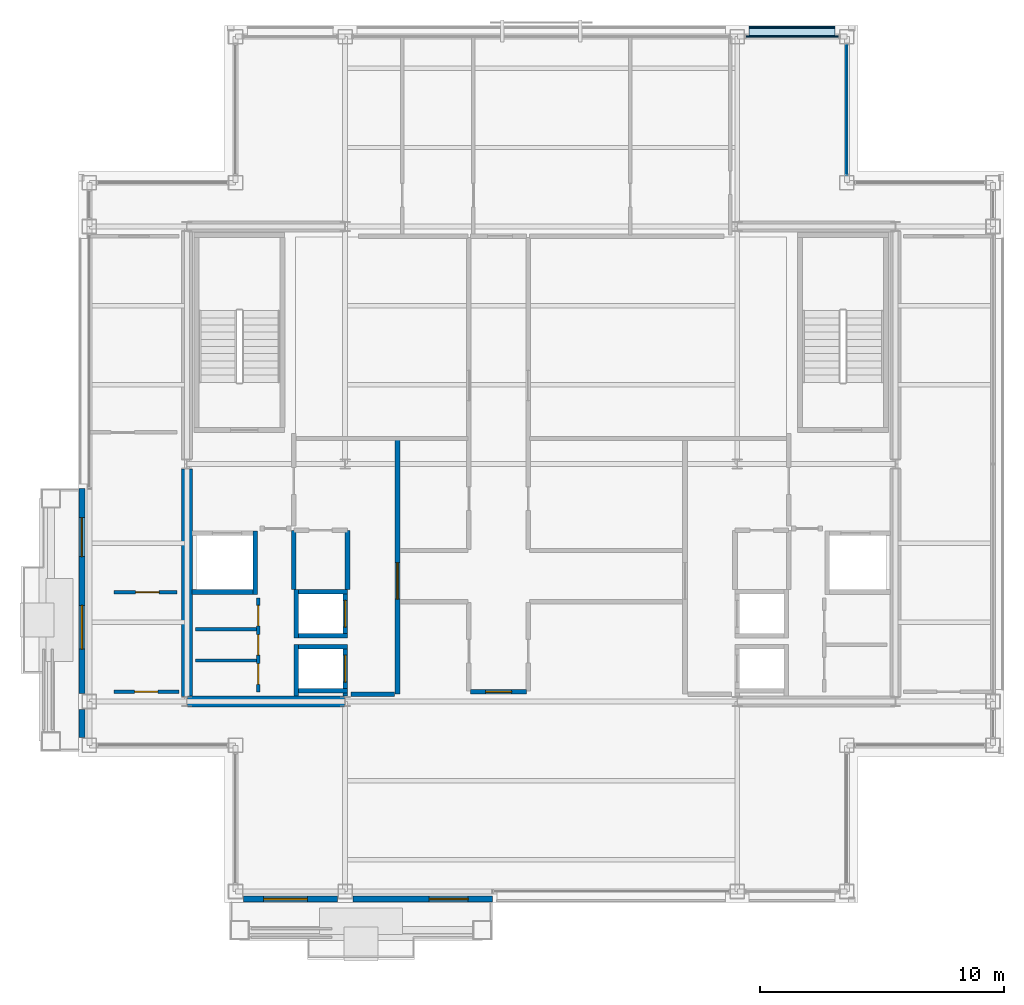
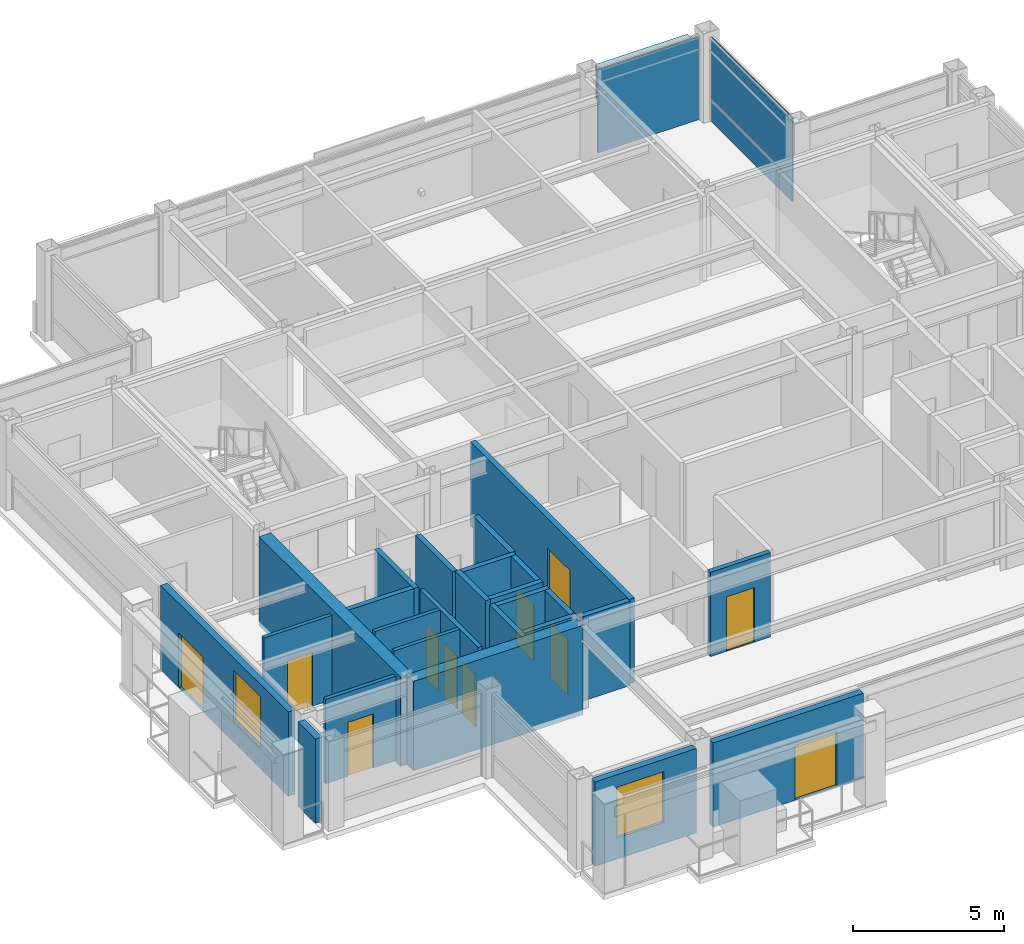
# One storey, part 23 of 28: 26 walls, 11 doors, 5 plates, 2 windows, 13 openings, 2 elements without a shape of their own.
"""IFC4 building model written with IfcOpenShell, lengths in metres."""

from ifc_helpers import new_model, si_unit, direction, frame, frame_2d, origin, origin_2d, place, context, subcontext, project, spatial, rectangle, extrude, material, layer, layer_set, type_object, element, fill, aggregate, save


model = new_model("IFC4")

# Units and contexts
model_context = context("Model", 3, precision=1e-05, world=origin(), true_north=direction((0.0, 1.0)))
body_context = subcontext(model_context, "Body", "Model", "MODEL_VIEW")
ifc_project = project(units=[si_unit("LENGTHUNIT", "METRE"), si_unit("AREAUNIT", "SQUARE_METRE"), si_unit("VOLUMEUNIT", "CUBIC_METRE"), si_unit("PLANEANGLEUNIT", "RADIAN"), si_unit("MASSUNIT", "GRAM", prefix="KILO")], contexts=[model_context])

# Site, building, storey
site_placement = place(None, origin())
site = spatial("IfcSite", under=ifc_project, at=site_placement, CompositionType="ELEMENT")
building_placement = place(site_placement, origin())
building = spatial("IfcBuilding", under=site, at=building_placement, Name="Brelmoor Portico Tower", CompositionType="ELEMENT")
storey_placement = place(building_placement, frame((0.0, 0.0, 265.199951171875)))
storey = spatial("IfcBuildingStorey", under=building, at=storey_placement, Name="L70", CompositionType="ELEMENT", Elevation=265.199951171875)

# Curtain wall, plate
ifc_material_1 = material(Name="Anodised Aluminium Alloy 6063-T6", Category="aluminium")
ifc_layer_1 = layer(ifc_material_1, 0.179931640625)
ifc_layer_set_1 = layer_set([ifc_layer_1], Name="Anodised Aluminium Alloy 6063-T6")
curtain_wall_type_1 = type_object("IfcCurtainWallType", Name="CW-NOTCH-CHAMFER", PredefinedType="NOTDEFINED", material=ifc_layer_set_1)
curtain_wall_1_placement = place(storey_placement, origin())
curtain_wall_1 = element("IfcCurtainWall", 1, at=curtain_wall_1_placement, inside=storey, type_object=curtain_wall_type_1, Name="L70 Curtain Wall CWN-L70-NEV", PredefinedType="NOTDEFINED")
ifc_material_2 = material(Name="Double-Silver Low-E Insulated Glazing", Category="glass")
ifc_layer_2 = layer(ifc_material_2, 0.035888671875)
ifc_layer_set_2 = layer_set([ifc_layer_2], Name="Double-Silver Low-E Insulated Glazing")
plate_type_1 = type_object("IfcPlateType", Name="PT-CW-GLASS", PredefinedType="CURTAIN_PANEL", material=ifc_layer_set_2)
plate_1_placement = place(storey_placement, frame((12.550048828125, 14.550048828125, 0.85009765625), z_axis=(0.0, 0.0, 1.0), x_axis=(0.0, 1.0, 0.0)))
plate_1 = element("IfcPlate", 2, at=plate_1_placement, type_object=plate_type_1, Name="CWN-L70-NEV Vision Glass Panel 00", PredefinedType="CURTAIN_PANEL", context=body_context, shape_type="SweptSolid", body=[
    extrude(rectangle(XDim=5.35009765625, YDim=0.035888671875, at=origin_2d()), origin(), (0.0, 0.0, 1.0), 2.550048828125),
])

ifc_layer_3 = layer(ifc_material_1, 0.179931640625)
ifc_layer_set_3 = layer_set([ifc_layer_3], Name="Anodised Aluminium Alloy 6063-T6")
curtain_wall_type_2 = type_object("IfcCurtainWallType", Name="CW-TOWER-Z4-XB", PredefinedType="NOTDEFINED", material=ifc_layer_set_3)
curtain_wall_2_placement = place(storey_placement, origin())
curtain_wall_2 = element("IfcCurtainWall", 3, at=curtain_wall_2_placement, inside=storey, type_object=curtain_wall_type_2, Name="L70 Curtain Wall CW-L70-02-3", PredefinedType="NOTDEFINED")
ifc_material_3 = material(Name="Pale Champagne Anodised Aluminium Panel", Category="aluminium")
ifc_layer_4 = layer(ifc_material_3, 0.050048828125)
ifc_layer_set_4 = layer_set([ifc_layer_4], Name="Pale Champagne Anodised Aluminium Panel")
plate_type_2 = type_object("IfcPlateType", Name="PT-CW-SPANDREL", PredefinedType="SHEET", material=ifc_layer_set_4)
plate_2_placement = place(storey_placement, frame((10.300048828125, 17.550048828125, 0.0), z_axis=(0.0, 0.0, 1.0), x_axis=(1.0, 0.0, 0.0)))
plate_2 = element("IfcPlate", 4, at=plate_2_placement, type_object=plate_type_2, Name="CW-L70-02-3 Spandrel Panel 00", PredefinedType="SHEET", context=body_context, shape_type="SweptSolid", body=[
    extrude(rectangle(XDim=3.85009765625, YDim=0.050048828125, at=origin_2d()), origin(), (0.0, 0.0, 1.0), 3.33740234375),
])
aggregate(curtain_wall_2, [plate_2])

# Plate
plate_3_placement = place(storey_placement, frame((12.550048828125, 14.550048828125, 0.0), z_axis=(0.0, 0.0, 1.0), x_axis=(0.0, 1.0, 0.0)))
plate_3 = element("IfcPlate", 5, at=plate_3_placement, type_object=plate_type_2, Name="CWN-L70-NEV Spandrel Panel 00", PredefinedType="SHEET", context=body_context, shape_type="SweptSolid", body=[
    extrude(rectangle(XDim=5.35009765625, YDim=0.050048828125, at=origin_2d()), origin(), (0.0, 0.0, 1.0), 0.85009765625),
])

aggregate(curtain_wall_1, [plate_3, plate_1])

# Plates
ifc_material_4 = material(Name="Powder-Coated Aluminium Shuttered Jalousie Louvre", Category="aluminium")
ifc_layer_5 = layer(ifc_material_4, 0.06005859375)
ifc_layer_set_5 = layer_set([ifc_layer_5], Name="Powder-Coated Aluminium Shuttered Jalousie Louvre")
plate_type_3 = type_object("IfcPlateType", Name="PT-JALOUSIE-SHUTTER", PredefinedType="SHEET", material=ifc_layer_set_5)
plate_4_placement = place(storey_placement, frame((10.300048828125, 17.929931640625, 1.8740234375), z_axis=(0.0, 0.0, 1.0), x_axis=(1.0, 0.0, 0.0)))
element("IfcPlate", 6, at=plate_4_placement, inside=storey, type_object=plate_type_3, Name="CW-L70-02-3 Perforated Jalousie Solar Screen", PredefinedType="SHEET", context=body_context, shape_type="SweptSolid", body=[
    extrude(rectangle(XDim=3.52001953125, YDim=0.06494140625, at=origin_2d()), origin(), (0.0, 0.0, 1.0), 1.325927734375),
])
ifc_material_5 = material(Name="Pale Champagne Perforated Aluminium Solar Screen", Category="aluminium")
ifc_layer_6 = layer(ifc_material_5, 0.054931640625)
ifc_layer_set_6 = layer_set([ifc_layer_6], Name="Pale Champagne Perforated Aluminium Solar Screen")
plate_type_4 = type_object("IfcPlateType", Name="PT-SOLAR-LOUVRE", PredefinedType="SHEET", material=ifc_layer_set_6)
plate_5_placement = place(storey_placement, frame((10.300048828125, 17.760009765625, 3.09033203125), z_axis=(0.0, 0.0, 1.0), x_axis=(1.0, 0.0, 0.0)))
element("IfcPlate", 7, at=plate_5_placement, inside=storey, type_object=plate_type_4, Name="CW-L70-02-3 Caribbean Brise-Soleil Solar Screen", PredefinedType="SHEET", context=body_context, shape_type="SweptSolid", body=[
    extrude(rectangle(XDim=3.52001953125, YDim=0.4599609375, at=origin_2d()), origin(), (0.0, 0.0, 1.0), 0.139892578125),
])

# Walls
ifc_material_6 = material(Name="Concrete C50", Category="concrete")
ifc_layer_7 = layer(ifc_material_6, 0.449951171875)
ifc_layer_set_7 = layer_set([ifc_layer_7], Name="Concrete C50")
wall_type_1 = type_object("IfcWallType", Name="WL-CORE-450", PredefinedType="SHEAR", material=ifc_layer_set_7)
wall_1_placement = place(storey_placement, frame((-14.530029296875, -9.75, -0.199951171875), z_axis=(0.0, 0.0, 1.0), x_axis=(1.0, 0.0, 0.0)))
element("IfcWall", 8, at=wall_1_placement, inside=storey, type_object=wall_type_1, Name="L70 WC South Shear Wall", PredefinedType="SHEAR", context=body_context, shape_type="SweptSolid", body=[
    extrude(rectangle(XDim=6.4599609375, YDim=0.449951171875, at=frame_2d((3.22998046875, 0.0))), origin(), (0.0, 0.0, 1.0), 3.60009765625),
])
wall_2_placement = place(storey_placement, frame((-14.550048828125, -9.550048828125, -0.199951171875), z_axis=(0.0, 0.0, 1.0), x_axis=(0.0, 1.0, 0.0)))
element("IfcWall", 9, at=wall_2_placement, inside=storey, type_object=wall_type_1, Name="L70 WC Outer South Shear Wall", PredefinedType="SHEAR", context=body_context, shape_type="SweptSolid", body=[
    extrude(rectangle(XDim=9.35009765625, YDim=0.449951171875, at=frame_2d((4.675048828125, 0.0))), origin(), (0.0, 0.0, 1.0), 3.60009765625),
])

# Wall, opening, window
ifc_material_7 = material(Name="Precast Concrete C40 Insulated Facade Wall", Category="concrete")
ifc_layer_8 = layer(ifc_material_7, 0.25)
ifc_layer_set_8 = layer_set([ifc_layer_8], Name="Precast Concrete C40 Insulated Facade Wall")
wall_type_2 = type_object("IfcWallType", Name="WL-EXT-250", PredefinedType="STANDARD", material=ifc_layer_set_8)
wall_3_placement = place(storey_placement, frame((-12.22998046875, -17.860107421875, 0.0), z_axis=(0.0, 0.0, 1.0), x_axis=(1.0, 0.0, 0.0)))
wall_3 = element("IfcWall", 10, at=wall_3_placement, inside=storey, type_object=wall_type_2, Name="L70 Loggia Threshold Wall S-1", PredefinedType="STANDARD", context=body_context, shape_type="SweptSolid", body=[
    extrude(rectangle(XDim=3.85986328125, YDim=0.25, at=frame_2d((1.929931640625, 0.0))), origin(), (0.0, 0.0, 1.0), 3.400146484375),
])
opening_1_placement = place(wall_3_placement, frame((0.830078125, 0.0, 0.85009765625)))
opening_1 = element("IfcOpeningElement", 11, at=opening_1_placement, cuts=wall_3, Name="Opening W-03C", PredefinedType="OPENING", context=body_context, shape_type="SweptSolid", body=[
    extrude(rectangle(XDim=1.800048828125, YDim=2.050048828125, at=frame_2d((0.89990234375, 1.02490234375))), frame((0.0, 0.135009765625, 0.0), z_axis=(0.0, -1.0, 0.0), x_axis=(1.0, 0.0, 0.0)), (0.0, 0.0, 1.0), 0.27001953125),
])
ifc_material_8 = material(Name="Thermally Broken Aluminium Low-E Window", Category="aluminium")
window_type = type_object("IfcWindowType", Name="WN-LOGGIA-1800x2050", PartitioningType="SINGLE_PANEL", PredefinedType="WINDOW", material=ifc_material_8)
window_1_placement = place(opening_1_placement, origin())
window_1 = element("IfcWindow", 12, at=window_1_placement, inside=storey, type_object=window_type, Name="L70 Loggia Window S", OverallHeight=2.050048828125, OverallWidth=1.800048828125, PartitioningType="SINGLE_PANEL", PredefinedType="WINDOW", context=body_context, shape_type="SweptSolid", body=[
    extrude(rectangle(XDim=1.800048828125, YDim=2.050048828125, at=frame_2d((0.89990234375, 1.02490234375))), frame((0.0, 0.030029296875, 0.0), z_axis=(0.0, -1.0, 0.0), x_axis=(1.0, 0.0, 0.0)), (0.0, 0.0, 1.0), 0.06005859375),
])
fill(opening_1, window_1)

# Wall, opening, door
wall_4_placement = place(storey_placement, frame((-7.72998046875, -17.860107421875, 0.0), z_axis=(0.0, 0.0, 1.0), x_axis=(1.0, 0.0, 0.0)))
wall_4 = element("IfcWall", 13, at=wall_4_placement, inside=storey, type_object=wall_type_2, Name="L70 Loggia Threshold Wall S-2", PredefinedType="STANDARD", context=body_context, shape_type="SweptSolid", body=[
    extrude(rectangle(XDim=5.72998046875, YDim=0.25, at=frame_2d((2.864990234375, 0.0))), origin(), (0.0, 0.0, 1.0), 3.400146484375),
])
opening_2_placement = place(wall_4_placement, frame((3.1298828125, 0.0, 0.0)))
opening_2 = element("IfcOpeningElement", 14, at=opening_2_placement, cuts=wall_4, Name="Opening D-TB1", PredefinedType="OPENING", context=body_context, shape_type="SweptSolid", body=[
    extrude(rectangle(XDim=1.60009765625, YDim=2.199951171875, at=frame_2d((0.800048828125, 1.10009765625))), frame((0.0, 0.135009765625, 0.0), z_axis=(0.0, -1.0, 0.0), x_axis=(1.0, 0.0, 0.0)), (0.0, 0.0, 1.0), 0.27001953125),
])
ifc_material_9 = material(Name="Double-Leaf Thermally Broken Terrace Door", Category="aluminium")
door_type_1 = type_object("IfcDoorType", Name="DR-BALCONY-1600", OperationType="NOTDEFINED", PredefinedType="DOOR", material=ifc_material_9)
door_1_placement = place(opening_2_placement, origin())
door_1 = element("IfcDoor", 15, at=door_1_placement, inside=storey, type_object=door_type_1, Name="D-2892 L70 Tree Balcony Double Door S", OperationType="DOUBLE_DOOR_SINGLE_SWING", OverallHeight=2.199951171875, OverallWidth=1.60009765625, PredefinedType="DOOR", context=body_context, shape_type="SweptSolid", body=[
    extrude(rectangle(XDim=1.60009765625, YDim=2.199951171875, at=frame_2d((0.800048828125, 1.10009765625))), frame((0.0, 0.02490234375, 0.0), z_axis=(0.0, -1.0, 0.0), x_axis=(1.0, 0.0, 0.0)), (0.0, 0.0, 1.0), 0.050048828125),
])
fill(opening_2, door_1)

# Wall
wall_5_placement = place(storey_placement, frame((-18.860107421875, -11.22998046875, 0.0), z_axis=(0.0, 0.0, 1.0), x_axis=(0.0, 1.0, 0.0)))
element("IfcWall", 16, at=wall_5_placement, inside=storey, type_object=wall_type_2, Name="L70 Loggia Threshold Wall W-1", PredefinedType="STANDARD", context=body_context, shape_type="SweptSolid", body=[
    extrude(rectangle(XDim=1.159912109375, YDim=0.25, at=frame_2d((0.580078125, 0.0))), origin(), (0.0, 0.0, 1.0), 3.400146484375),
])

# Wall, openings, door, window
wall_6_placement = place(storey_placement, frame((-18.860107421875, -9.429931640625, 0.0), z_axis=(0.0, 0.0, 1.0), x_axis=(0.0, 1.0, 0.0)))
wall_6 = element("IfcWall", 17, at=wall_6_placement, inside=storey, type_object=wall_type_2, Name="L70 Loggia Threshold Wall W-2", PredefinedType="STANDARD", context=body_context, shape_type="SweptSolid", body=[
    extrude(rectangle(XDim=8.429931640625, YDim=0.25, at=frame_2d((4.21484375, 0.0))), origin(), (0.0, 0.0, 1.0), 3.400146484375),
])
opening_3_placement = place(wall_6_placement, frame((5.6298828125, 0.0, 0.0)))
opening_3 = element("IfcOpeningElement", 18, at=opening_3_placement, cuts=wall_6, Name="Opening D-TB1", PredefinedType="OPENING", context=body_context, shape_type="SweptSolid", body=[
    extrude(rectangle(XDim=1.60009765625, YDim=2.199951171875, at=frame_2d((0.800048828125, 1.10009765625))), frame((0.0, 0.135009765625, 0.0), z_axis=(0.0, -1.0, 0.0), x_axis=(1.0, 0.0, 0.0)), (0.0, 0.0, 1.0), 0.27001953125),
])
opening_4_placement = place(wall_6_placement, frame((1.830078125, 0.0, 0.85009765625)))
opening_4 = element("IfcOpeningElement", 19, at=opening_4_placement, cuts=wall_6, Name="Opening W-03C", PredefinedType="OPENING", context=body_context, shape_type="SweptSolid", body=[
    extrude(rectangle(XDim=1.800048828125, YDim=2.050048828125, at=frame_2d((0.89990234375, 1.02490234375))), frame((0.0, 0.135009765625, 0.0), z_axis=(0.0, -1.0, 0.0), x_axis=(1.0, 0.0, 0.0)), (0.0, 0.0, 1.0), 0.27001953125),
])
door_2_placement = place(opening_3_placement, origin())
door_2 = element("IfcDoor", 20, at=door_2_placement, inside=storey, type_object=door_type_1, Name="D-2893 L70 Tree Balcony Double Door W", OperationType="DOUBLE_DOOR_SINGLE_SWING", OverallHeight=2.199951171875, OverallWidth=1.60009765625, PredefinedType="DOOR", context=body_context, shape_type="SweptSolid", body=[
    extrude(rectangle(XDim=1.60009765625, YDim=2.199951171875, at=frame_2d((0.800048828125, 1.10009765625))), frame((0.0, 0.02490234375, 0.0), z_axis=(0.0, -1.0, 0.0), x_axis=(1.0, 0.0, 0.0)), (0.0, 0.0, 1.0), 0.050048828125),
])
fill(opening_3, door_2)
window_2_placement = place(opening_4_placement, origin())
window_2 = element("IfcWindow", 21, at=window_2_placement, inside=storey, type_object=window_type, Name="L70 Loggia Window W", OverallHeight=2.050048828125, OverallWidth=1.800048828125, PartitioningType="SINGLE_PANEL", PredefinedType="WINDOW", context=body_context, shape_type="SweptSolid", body=[
    extrude(rectangle(XDim=1.800048828125, YDim=2.050048828125, at=frame_2d((0.89990234375, 1.02490234375))), frame((0.0, 0.030029296875, 0.0), z_axis=(0.0, -1.0, 0.0), x_axis=(1.0, 0.0, 0.0)), (0.0, 0.0, 1.0), 0.06005859375),
])
fill(opening_4, window_2)

# Walls
ifc_material_10 = material(Name="Insulated Stud Suite Partition", Category="gypsum")
ifc_layer_9 = layer(ifc_material_10, 0.139892578125)
ifc_layer_set_9 = layer_set([ifc_layer_9], Name="Insulated Stud Suite Partition")
wall_type_3 = type_object("IfcWallType", Name="WL-PART-140", PredefinedType="PARTITIONING", material=ifc_layer_set_9)
for number, where, z_axis, x_axis, name in (
    (22, (-11.699951171875, -8.066650390625, 0.0), (0.0, 0.0, 1.0), (-1.0, 0.0, 0.0), "L70 W Core WC Divider 1"),
    (23, (-11.699951171875, -6.783203125, 0.0), (0.0, 0.0, 1.0), (-1.0, 0.0, 0.0), "L70 W Core WC Divider 2"),
):
    element("IfcWall", number, at=place(storey_placement, frame(where, z_axis=z_axis, x_axis=x_axis)), inside=storey, type_object=wall_type_3, Name=name, PredefinedType="PARTITIONING", context=body_context, shape_type="SweptSolid", body=[
        extrude(rectangle(XDim=2.5, YDim=0.139892578125, at=frame_2d((1.25, 0.0))), origin(), (0.0, 0.0, 1.0), 3.400146484375),
    ])

# Wall, opening, door
wall_7_placement = place(storey_placement, frame((-17.550048828125, -9.35009765625, 0.0), z_axis=(0.0, 0.0, 1.0), x_axis=(1.0, 0.0, 0.0)))
wall_7 = element("IfcWall", 24, at=wall_7_placement, inside=storey, type_object=wall_type_3, Name="L70 South Wing Closure WL", PredefinedType="PARTITIONING", context=body_context, shape_type="SweptSolid", body=[
    extrude(rectangle(XDim=2.670166015625, YDim=0.139892578125, at=frame_2d((1.3349609375, 0.0))), origin(), (0.0, 0.0, 1.0), 3.400146484375),
])
opening_5_placement = place(wall_7_placement, frame((0.85498046875, 0.0, 0.0)))
opening_5 = element("IfcOpeningElement", 25, at=opening_5_placement, cuts=wall_7, Name="Opening D-IN2", PredefinedType="OPENING", context=body_context, shape_type="SweptSolid", body=[
    extrude(rectangle(XDim=0.9599609375, YDim=2.179931640625, at=frame_2d((0.47998046875, 1.08984375))), frame((0.0, 0.079833984375, 0.0), z_axis=(0.0, -1.0, 0.0), x_axis=(1.0, 0.0, 0.0)), (0.0, 0.0, 1.0), 0.159912109375),
])
ifc_material_11 = material(Name="Lacquered Timber Suite Door", Category="wood")
door_type_2 = type_object("IfcDoorType", Name="DR-INT-950", OperationType="NOTDEFINED", PredefinedType="DOOR", material=ifc_material_11)
door_3_placement = place(opening_5_placement, origin())
door_3 = element("IfcDoor", 26, at=door_3_placement, inside=storey, type_object=door_type_2, Name="D-2891 L70 WL Wing South Suite Door", OperationType="SINGLE_SWING_LEFT", OverallHeight=2.179931640625, OverallWidth=0.9599609375, PredefinedType="DOOR", context=body_context, shape_type="SweptSolid", body=[
    extrude(rectangle(XDim=0.9599609375, YDim=2.179931640625, at=frame_2d((0.47998046875, 1.08984375))), frame((0.0, 0.02490234375, 0.0), z_axis=(0.0, -1.0, 0.0), x_axis=(1.0, 0.0, 0.0)), (0.0, 0.0, 1.0), 0.050048828125),
])
fill(opening_5, door_3)

wall_8_placement = place(storey_placement, frame((-17.550048828125, -5.27001953125, 0.0), z_axis=(0.0, 0.0, 1.0), x_axis=(1.0, 0.0, 0.0)))
wall_8 = element("IfcWall", 27, at=wall_8_placement, inside=storey, type_object=wall_type_3, Name="L70 W Wing Partition 1", PredefinedType="PARTITIONING", context=body_context, shape_type="SweptSolid", body=[
    extrude(rectangle(XDim=2.590087890625, YDim=0.139892578125, at=frame_2d((1.294921875, 0.0))), origin(), (0.0, 0.0, 1.0), 3.400146484375),
])
opening_6_placement = place(wall_8_placement, frame((0.89990234375, 0.0, 0.0)))
opening_6 = element("IfcOpeningElement", 28, at=opening_6_placement, cuts=wall_8, Name="Opening D-IN2", PredefinedType="OPENING", context=body_context, shape_type="SweptSolid", body=[
    extrude(rectangle(XDim=0.9599609375, YDim=2.179931640625, at=frame_2d((0.47998046875, 1.08984375))), frame((0.0, 0.079833984375, 0.0), z_axis=(0.0, -1.0, 0.0), x_axis=(1.0, 0.0, 0.0)), (0.0, 0.0, 1.0), 0.159912109375),
])
door_4_placement = place(opening_6_placement, origin())
door_4 = element("IfcDoor", 29, at=door_4_placement, inside=storey, type_object=door_type_2, Name="D-2894 L70 W Wing Suite Connecting Door 1", OperationType="SINGLE_SWING_LEFT", OverallHeight=2.179931640625, OverallWidth=0.9599609375, PredefinedType="DOOR", context=body_context, shape_type="SweptSolid", body=[
    extrude(rectangle(XDim=0.9599609375, YDim=2.179931640625, at=frame_2d((0.47998046875, 1.08984375))), frame((0.0, 0.02490234375, 0.0), z_axis=(0.0, -1.0, 0.0), x_axis=(1.0, 0.0, 0.0)), (0.0, 0.0, 1.0), 0.050048828125),
])
fill(opening_6, door_4)

# Wall, openings, doors
ifc_material_12 = material(Name="Twin-Frame Acoustic Partition", Category="gypsum")
ifc_layer_10 = layer(ifc_material_12, 0.159912109375)
ifc_layer_set_10 = layer_set([ifc_layer_10], Name="Twin-Frame Acoustic Partition")
wall_type_4 = type_object("IfcWallType", Name="WL-PART-160", PredefinedType="PARTITIONING", material=ifc_layer_set_10)
wall_9_placement = place(storey_placement, frame((-11.6201171875, -9.35009765625, 0.0), z_axis=(0.0, 0.0, 1.0), x_axis=(0.0, 1.0, 0.0)))
wall_9 = element("IfcWall", 30, at=wall_9_placement, inside=storey, type_object=wall_type_4, Name="L70 W Core Service Front Wall", PredefinedType="PARTITIONING", context=body_context, shape_type="SweptSolid", body=[
    extrude(rectangle(XDim=3.85009765625, YDim=0.159912109375, at=frame_2d((1.925048828125, 0.0))), origin(), (0.0, 0.0, 1.0), 3.400146484375),
])
opening_7_placement = place(wall_9_placement, frame((0.300048828125, 0.0, 0.0)))
opening_7 = element("IfcOpeningElement", 31, at=opening_7_placement, cuts=wall_9, Name="Opening D-WC1", PredefinedType="OPENING", context=body_context, shape_type="SweptSolid", body=[
    extrude(rectangle(XDim=0.85009765625, YDim=2.1201171875, at=frame_2d((0.425048828125, 1.06005859375))), frame((0.0, 0.08984375, 0.0), z_axis=(0.0, -1.0, 0.0), x_axis=(1.0, 0.0, 0.0)), (0.0, 0.0, 1.0), 0.179931640625),
])
opening_8_placement = place(wall_9_placement, frame((1.5, 0.0, 0.0)))
opening_8 = element("IfcOpeningElement", 32, at=opening_8_placement, cuts=wall_9, Name="Opening D-WC1", PredefinedType="OPENING", context=body_context, shape_type="SweptSolid", body=[
    extrude(rectangle(XDim=0.85009765625, YDim=2.1201171875, at=frame_2d((0.425048828125, 1.06005859375))), frame((0.0, 0.08984375, 0.0), z_axis=(0.0, -1.0, 0.0), x_axis=(1.0, 0.0, 0.0)), (0.0, 0.0, 1.0), 0.179931640625),
])
opening_9_placement = place(wall_9_placement, frame((2.699951171875, 0.0, 0.0)))
opening_9 = element("IfcOpeningElement", 33, at=opening_9_placement, cuts=wall_9, Name="Opening D-WC1", PredefinedType="OPENING", context=body_context, shape_type="SweptSolid", body=[
    extrude(rectangle(XDim=0.85009765625, YDim=2.1201171875, at=frame_2d((0.425048828125, 1.06005859375))), frame((0.0, 0.08984375, 0.0), z_axis=(0.0, -1.0, 0.0), x_axis=(1.0, 0.0, 0.0)), (0.0, 0.0, 1.0), 0.179931640625),
])
ifc_material_13 = material(Name="Moisture-Resistant Laminate WC Door", Category="timber")
door_type_3 = type_object("IfcDoorType", Name="DR-WC-850", OperationType="NOTDEFINED", PredefinedType="DOOR", material=ifc_material_13)
door_5_placement = place(opening_7_placement, origin())
door_5 = element("IfcDoor", 34, at=door_5_placement, inside=storey, type_object=door_type_3, Name="D-2871 L70 W Accessible WC Door", OperationType="SINGLE_SWING_LEFT", OverallHeight=2.1201171875, OverallWidth=0.85009765625, PredefinedType="DOOR", context=body_context, shape_type="SweptSolid", body=[
    extrude(rectangle(XDim=0.85009765625, YDim=2.1201171875, at=frame_2d((0.425048828125, 1.06005859375))), frame((0.0, 0.02490234375, 0.0), z_axis=(0.0, -1.0, 0.0), x_axis=(1.0, 0.0, 0.0)), (0.0, 0.0, 1.0), 0.050048828125),
])
fill(opening_7, door_5)
door_6_placement = place(opening_8_placement, origin())
door_6 = element("IfcDoor", 35, at=door_6_placement, inside=storey, type_object=door_type_3, Name="D-2872 L70 W Staff WC Door", OperationType="SINGLE_SWING_RIGHT", OverallHeight=2.1201171875, OverallWidth=0.85009765625, PredefinedType="DOOR", context=body_context, shape_type="SweptSolid", body=[
    extrude(rectangle(XDim=0.85009765625, YDim=2.1201171875, at=frame_2d((0.425048828125, 1.06005859375))), frame((0.0, 0.02490234375, 0.0), z_axis=(0.0, -1.0, 0.0), x_axis=(1.0, 0.0, 0.0)), (0.0, 0.0, 1.0), 0.050048828125),
])
fill(opening_8, door_6)
door_7_placement = place(opening_9_placement, origin())
door_7 = element("IfcDoor", 36, at=door_7_placement, inside=storey, type_object=door_type_3, Name="D-2873 L70 W Cleaner Store Door", OperationType="SINGLE_SWING_LEFT", OverallHeight=2.1201171875, OverallWidth=0.85009765625, PredefinedType="DOOR", context=body_context, shape_type="SweptSolid", body=[
    extrude(rectangle(XDim=0.85009765625, YDim=2.1201171875, at=frame_2d((0.425048828125, 1.06005859375))), frame((0.0, 0.02490234375, 0.0), z_axis=(0.0, -1.0, 0.0), x_axis=(1.0, 0.0, 0.0)), (0.0, 0.0, 1.0), 0.050048828125),
])
fill(opening_9, door_7)

# Wall, opening, door
ifc_material_14 = material(Name="Acoustic Corridor Fire Partition", Category="gypsum")
ifc_layer_11 = layer(ifc_material_14, 0.179931640625)
ifc_layer_set_11 = layer_set([ifc_layer_11], Name="Acoustic Corridor Fire Partition")
wall_type_5 = type_object("IfcWallType", Name="WL-PART-180", PredefinedType="PARTITIONING", material=ifc_layer_set_11)
wall_10_placement = place(storey_placement, frame((-2.89990234375, -9.35009765625, 0.0), z_axis=(0.0, 0.0, 1.0), x_axis=(1.0, 0.0, 0.0)))
wall_10 = element("IfcWall", 37, at=wall_10_placement, inside=storey, type_object=wall_type_5, Name="L70 South Corridor Partition", PredefinedType="PARTITIONING", context=body_context, shape_type="SweptSolid", body=[
    extrude(rectangle(XDim=2.2998046875, YDim=0.179931640625, at=frame_2d((1.14990234375, 0.0))), origin(), (0.0, 0.0, 1.0), 3.400146484375),
])
opening_10_placement = place(wall_10_placement, frame((0.6201171875, 0.0, 0.0)))
opening_10 = element("IfcOpeningElement", 38, at=opening_10_placement, cuts=wall_10, Name="Opening D-OF2", PredefinedType="OPENING", context=body_context, shape_type="SweptSolid", body=[
    extrude(rectangle(XDim=1.06005859375, YDim=2.199951171875, at=frame_2d((0.530029296875, 1.10009765625))), frame((0.0, 0.099853515625, 0.0), z_axis=(0.0, -1.0, 0.0), x_axis=(1.0, 0.0, 0.0)), (0.0, 0.0, 1.0), 0.199951171875),
])
ifc_material_15 = material(Name="Hardwood Acoustic Veneer Door", Category="wood")
door_type_4 = type_object("IfcDoorType", Name="DR-OFFICE-1050", OperationType="NOTDEFINED", PredefinedType="DOOR", material=ifc_material_15)
door_8_placement = place(opening_10_placement, origin())
door_8 = element("IfcDoor", 39, at=door_8_placement, inside=storey, type_object=door_type_4, Name="D-2887 L70 South Executive Reception Room 1 Door", OperationType="SINGLE_SWING_RIGHT", OverallHeight=2.199951171875, OverallWidth=1.06005859375, PredefinedType="DOOR", context=body_context, shape_type="SweptSolid", body=[
    extrude(rectangle(XDim=1.06005859375, YDim=2.199951171875, at=frame_2d((0.530029296875, 1.10009765625))), frame((0.0, 0.02490234375, 0.0), z_axis=(0.0, -1.0, 0.0), x_axis=(1.0, 0.0, 0.0)), (0.0, 0.0, 1.0), 0.050048828125),
])
fill(opening_10, door_8)

ifc_material_16 = material(Name="Double-Stud Gypsum Fire Partition", Category="gypsum")
ifc_layer_12 = layer(ifc_material_16, 0.199951171875)
ifc_layer_set_12 = layer_set([ifc_layer_12], Name="Double-Stud Gypsum Fire Partition")
wall_type_6 = type_object("IfcWallType", Name="WL-PART-200", PredefinedType="PARTITIONING", material=ifc_layer_set_12)
wall_11_placement = place(storey_placement, frame((-5.89990234375, -9.449951171875, 0.0), z_axis=(0.0, 0.0, 1.0), x_axis=(0.0, 1.0, 0.0)))
wall_11 = element("IfcWall", 40, at=wall_11_placement, inside=storey, type_object=wall_type_6, Name="L70 W Core Lobby Compartment Wall", PredefinedType="PARTITIONING", context=body_context, shape_type="SweptSolid", body=[
    extrude(rectangle(XDim=10.5, YDim=0.199951171875, at=frame_2d((5.25, 0.0))), origin(), (0.0, 0.0, 1.0), 3.400146484375),
])
opening_11_placement = place(wall_11_placement, frame((3.89990234375, 0.0, 0.0)))
opening_11 = element("IfcOpeningElement", 41, at=opening_11_placement, cuts=wall_11, Name="Opening D-LB1", PredefinedType="OPENING", context=body_context, shape_type="SweptSolid", body=[
    extrude(rectangle(XDim=1.5, YDim=2.199951171875, at=frame_2d((0.75, 1.10009765625))), frame((0.0, 0.10986328125, 0.0), z_axis=(0.0, -1.0, 0.0), x_axis=(1.0, 0.0, 0.0)), (0.0, 0.0, 1.0), 0.219970703125),
])
ifc_material_17 = material(Name="Double-Leaf Glazed Steel Fire Door", Category="steel")
door_type_5 = type_object("IfcDoorType", Name="DR-LOBBY-1500", OperationType="NOTDEFINED", PredefinedType="DOOR", material=ifc_material_17)
door_9_placement = place(opening_11_placement, origin())
door_9 = element("IfcDoor", 42, at=door_9_placement, inside=storey, type_object=door_type_5, Name="D-2879 L70 W Lift Lobby Main Door", OperationType="DOUBLE_DOOR_SINGLE_SWING", OverallHeight=2.199951171875, OverallWidth=1.5, PredefinedType="DOOR", context=body_context, shape_type="SweptSolid", body=[
    extrude(rectangle(XDim=1.5, YDim=2.199951171875, at=frame_2d((0.75, 1.10009765625))), frame((0.0, 0.02490234375, 0.0), z_axis=(0.0, -1.0, 0.0), x_axis=(1.0, 0.0, 0.0)), (0.0, 0.0, 1.0), 0.050048828125),
])
fill(opening_11, door_9)

# Walls
wall_12_placement = place(storey_placement, frame((-6.02001953125, -9.449951171875, 0.0), z_axis=(0.0, 0.0, 1.0), x_axis=(-1.0, 0.0, 0.0)))
element("IfcWall", 43, at=wall_12_placement, inside=storey, type_object=wall_type_6, Name="L70 W Lift Lobby South End Wall", PredefinedType="PARTITIONING", context=body_context, shape_type="SweptSolid", body=[
    extrude(rectangle(XDim=1.800048828125, YDim=0.199951171875, at=frame_2d((0.89990234375, 0.0))), origin(), (0.0, 0.0, 1.0), 3.400146484375),
])
for number, where, z_axis, x_axis, name in (
    (44, (-7.9599609375, -5.159912109375, 0.0), (0.0, 0.0, 1.0), (0.0, 1.0, 0.0), "L70 W Electrical Switchgear Closet Inner Wall"),
    (45, (-10.159912109375, -5.159912109375, 0.0), (0.0, 0.0, 1.0), (0.0, 1.0, 0.0), "L70 W Electrical Switchgear Closet Outer Wall"),
):
    element("IfcWall", number, at=place(storey_placement, frame(where, z_axis=z_axis, x_axis=x_axis)), inside=storey, type_object=wall_type_6, Name=name, PredefinedType="PARTITIONING", context=body_context, shape_type="SweptSolid", body=[
        extrude(rectangle(XDim=2.43994140625, YDim=0.199951171875, at=frame_2d((1.219970703125, 0.0))), origin(), (0.0, 0.0, 1.0), 3.400146484375),
    ])

# Wall, opening, door
ifc_material_18 = material(Name="Precast Concrete C40", Category="concrete")
ifc_layer_13 = layer(ifc_material_18, 0.18994140625)
ifc_layer_set_13 = layer_set([ifc_layer_13], Name="Precast Concrete C40")
wall_type_7 = type_object("IfcWallType", Name="WL-SHAFT-180", PredefinedType="SOLIDWALL", material=ifc_layer_set_13)
wall_13_placement = place(storey_placement, frame((-8.044921875, -9.52001953125, -0.199951171875), z_axis=(0.0, 0.0, 1.0), x_axis=(0.0, 1.0, 0.0)))
wall_13 = element("IfcWall", 46, at=wall_13_placement, inside=storey, type_object=wall_type_7, Name="L70 Lift PH1 Hoistway Front Wall", PredefinedType="SOLIDWALL", context=body_context, shape_type="SweptSolid", body=[
    extrude(rectangle(XDim=2.1201171875, YDim=0.18994140625, at=frame_2d((1.06005859375, 0.0))), origin(), (0.0, 0.0, 1.0), 3.60009765625),
])
opening_12_placement = place(wall_13_placement, frame((0.570068359375, 0.0, 0.199951171875)))
opening_12 = element("IfcOpeningElement", 47, at=opening_12_placement, cuts=wall_13, Name="Opening LD-01", PredefinedType="OPENING", context=body_context, shape_type="SweptSolid", body=[
    extrude(rectangle(XDim=1.10009765625, YDim=2.199951171875, at=frame_2d((0.550048828125, 1.10009765625))), frame((0.0, 0.10498046875, 0.0), z_axis=(0.0, -1.0, 0.0), x_axis=(1.0, 0.0, 0.0)), (0.0, 0.0, 1.0), 0.2099609375),
])
ifc_material_19 = material(Name="Brushed Stainless Steel Sliding Lift Door", Category="steel")
door_type_6 = type_object("IfcDoorType", Name="DR-LIFT-1100", OperationType="NOTDEFINED", PredefinedType="DOOR", material=ifc_material_19)
door_10_placement = place(opening_12_placement, origin())
door_10 = element("IfcDoor", 48, at=door_10_placement, inside=storey, type_object=door_type_6, Name="D-2898 L70 Lift PH1 Sliding Landing Door", OperationType="SLIDING_TO_LEFT", OverallHeight=2.199951171875, OverallWidth=1.10009765625, PredefinedType="DOOR", context=body_context, shape_type="SweptSolid", body=[
    extrude(rectangle(XDim=1.10009765625, YDim=2.199951171875, at=frame_2d((0.550048828125, 1.10009765625))), frame((0.0, 0.02490234375, 0.0), z_axis=(0.0, -1.0, 0.0), x_axis=(1.0, 0.0, 0.0)), (0.0, 0.0, 1.0), 0.050048828125),
])
fill(opening_12, door_10)

# Walls
wall_14_placement = place(storey_placement, frame((-10.054931640625, -9.52001953125, -0.199951171875), z_axis=(0.0, 0.0, 1.0), x_axis=(0.0, 1.0, 0.0)))
element("IfcWall", 49, at=wall_14_placement, inside=storey, type_object=wall_type_7, Name="L70 Lift PH1 Hoistway Back Wall", PredefinedType="SOLIDWALL", context=body_context, shape_type="SweptSolid", body=[
    extrude(rectangle(XDim=2.1201171875, YDim=0.18994140625, at=frame_2d((1.06005859375, 0.0))), origin(), (0.0, 0.0, 1.0), 3.60009765625),
])
for number, where, z_axis, x_axis, name in (
    (50, (-10.14990234375, -7.4951171875, -0.199951171875), (0.0, 0.0, 1.0), (1.0, 0.0, 0.0), "L70 Lift PH1 Hoistway North Wall"),
    (51, (-10.14990234375, -9.304931640625, -0.199951171875), (0.0, 0.0, 1.0), (1.0, 0.0, 0.0), "L70 Lift PH1 Hoistway South Wall"),
):
    element("IfcWall", number, at=place(storey_placement, frame(where, z_axis=z_axis, x_axis=x_axis)), inside=storey, type_object=wall_type_7, Name=name, PredefinedType="SOLIDWALL", context=body_context, shape_type="SweptSolid", body=[
        extrude(rectangle(XDim=2.199951171875, YDim=0.18994140625, at=frame_2d((1.10009765625, 0.0))), origin(), (0.0, 0.0, 1.0), 3.60009765625),
    ])

# Wall, opening, door
wall_15_placement = place(storey_placement, frame((-8.044921875, -7.14990234375, -0.199951171875), z_axis=(0.0, 0.0, 1.0), x_axis=(0.0, 1.0, 0.0)))
wall_15 = element("IfcWall", 52, at=wall_15_placement, inside=storey, type_object=wall_type_7, Name="L70 Lift PH2 Hoistway Front Wall", PredefinedType="SOLIDWALL", context=body_context, shape_type="SweptSolid", body=[
    extrude(rectangle(XDim=2.0, YDim=0.18994140625, at=frame_2d((1.0, 0.0))), origin(), (0.0, 0.0, 1.0), 3.60009765625),
])
opening_13_placement = place(wall_15_placement, frame((0.449951171875, 0.0, 0.199951171875)))
opening_13 = element("IfcOpeningElement", 53, at=opening_13_placement, cuts=wall_15, Name="Opening LD-01", PredefinedType="OPENING", context=body_context, shape_type="SweptSolid", body=[
    extrude(rectangle(XDim=1.10009765625, YDim=2.199951171875, at=frame_2d((0.550048828125, 1.10009765625))), frame((0.0, 0.10498046875, 0.0), z_axis=(0.0, -1.0, 0.0), x_axis=(1.0, 0.0, 0.0)), (0.0, 0.0, 1.0), 0.2099609375),
])
door_11_placement = place(opening_13_placement, origin())
door_11 = element("IfcDoor", 54, at=door_11_placement, inside=storey, type_object=door_type_6, Name="D-2899 L70 Lift PH2 Sliding Landing Door", OperationType="SLIDING_TO_LEFT", OverallHeight=2.199951171875, OverallWidth=1.10009765625, PredefinedType="DOOR", context=body_context, shape_type="SweptSolid", body=[
    extrude(rectangle(XDim=1.10009765625, YDim=2.199951171875, at=frame_2d((0.550048828125, 1.10009765625))), frame((0.0, 0.02490234375, 0.0), z_axis=(0.0, -1.0, 0.0), x_axis=(1.0, 0.0, 0.0)), (0.0, 0.0, 1.0), 0.050048828125),
])
fill(opening_13, door_11)

# Walls
wall_16_placement = place(storey_placement, frame((-10.054931640625, -7.14990234375, -0.199951171875), z_axis=(0.0, 0.0, 1.0), x_axis=(0.0, 1.0, 0.0)))
element("IfcWall", 55, at=wall_16_placement, inside=storey, type_object=wall_type_7, Name="L70 Lift PH2 Hoistway Back Wall", PredefinedType="SOLIDWALL", context=body_context, shape_type="SweptSolid", body=[
    extrude(rectangle(XDim=2.0, YDim=0.18994140625, at=frame_2d((1.0, 0.0))), origin(), (0.0, 0.0, 1.0), 3.60009765625),
])
for number, where, z_axis, x_axis, name in (
    (56, (-10.14990234375, -5.2451171875, -0.199951171875), (0.0, 0.0, 1.0), (1.0, 0.0, 0.0), "L70 Lift PH2 Hoistway North Wall"),
    (57, (-10.14990234375, -7.054931640625, -0.199951171875), (0.0, 0.0, 1.0), (1.0, 0.0, 0.0), "L70 Lift PH2 Hoistway South Wall"),
):
    element("IfcWall", number, at=place(storey_placement, frame(where, z_axis=z_axis, x_axis=x_axis)), inside=storey, type_object=wall_type_7, Name=name, PredefinedType="SOLIDWALL", context=body_context, shape_type="SweptSolid", body=[
        extrude(rectangle(XDim=2.199951171875, YDim=0.18994140625, at=frame_2d((1.10009765625, 0.0))), origin(), (0.0, 0.0, 1.0), 3.60009765625),
    ])
wall_17_placement = place(storey_placement, frame((-14.330078125, -5.2548828125, -0.199951171875), z_axis=(0.0, 0.0, 1.0), x_axis=(1.0, 0.0, 0.0)))
element("IfcWall", 58, at=wall_17_placement, inside=storey, type_object=wall_type_7, Name="L70 Firefighting Lift FF1 South Wall", PredefinedType="SOLIDWALL", context=body_context, shape_type="SweptSolid", body=[
    extrude(rectangle(XDim=2.68017578125, YDim=0.18994140625, at=frame_2d((1.340087890625, 0.0))), origin(), (0.0, 0.0, 1.0), 3.60009765625),
])
wall_18_placement = place(storey_placement, frame((-11.7451171875, -5.35009765625, -0.199951171875), z_axis=(0.0, 0.0, 1.0), x_axis=(0.0, 1.0, 0.0)))
element("IfcWall", 59, at=wall_18_placement, inside=storey, type_object=wall_type_7, Name="L70 Firefighting Lift FF1 Inner Wall", PredefinedType="SOLIDWALL", context=body_context, shape_type="SweptSolid", body=[
    extrude(rectangle(XDim=2.60009765625, YDim=0.18994140625, at=frame_2d((1.300048828125, 0.0))), origin(), (0.0, 0.0, 1.0), 3.60009765625),
])

save(model, "model.ifc")
